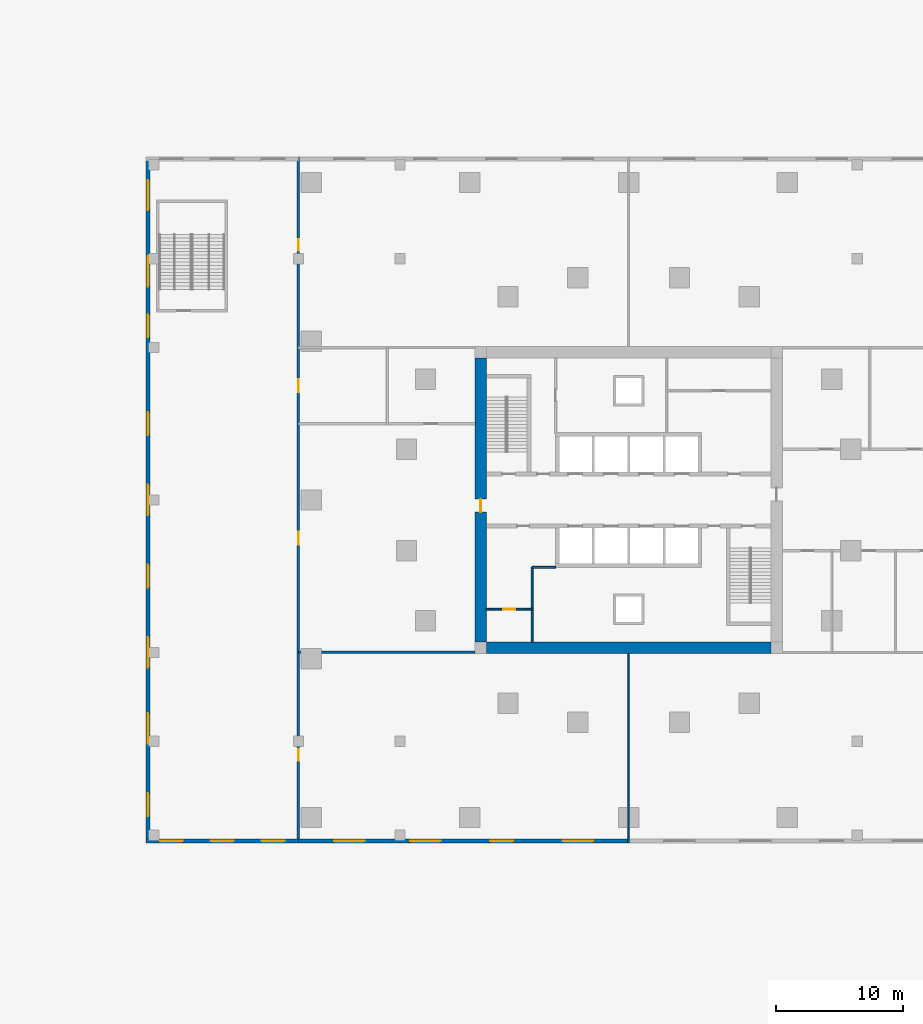
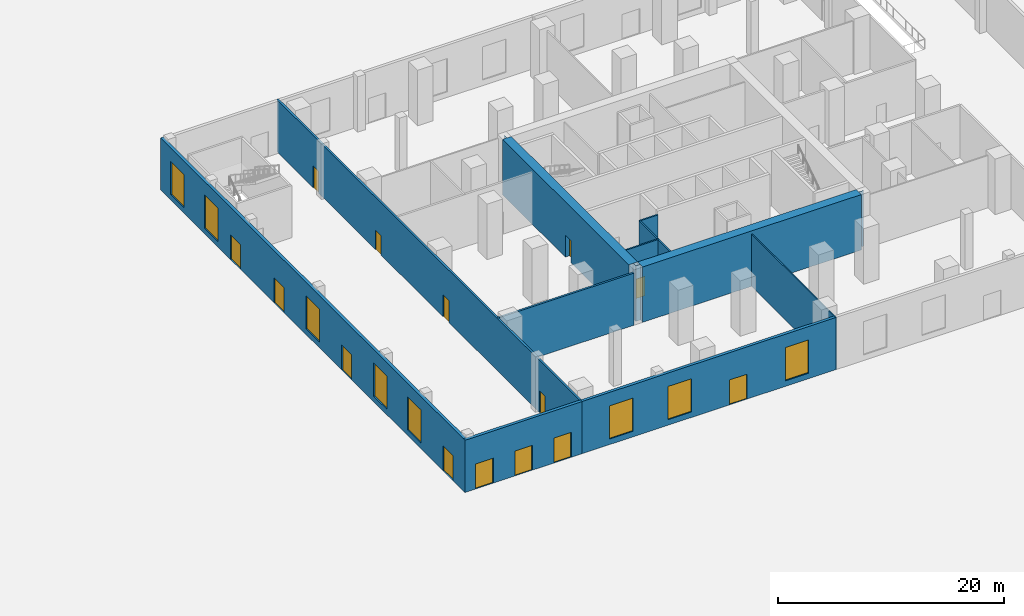
# One storey, part 2 of 8: 14 doors, 11 walls, 8 windows, 22 openings.
"""IFC4 building model written with IfcOpenShell, lengths in metres."""

from ifc_helpers import new_model, si_unit, direction, frame, frame_2d, origin, place, context, subcontext, project, spatial, polyline, rectangle, outline, extrude, material, layer, layer_set, type_object, element, fill, save


model = new_model("IFC4")

# Units and contexts
model_context = context("Model", 3, precision=1e-05, world=origin(), true_north=direction((0.0, 1.0)))
body_context = subcontext(model_context, "Body", "Model", "MODEL_VIEW")
ifc_project = project(units=[si_unit("LENGTHUNIT", "METRE"), si_unit("AREAUNIT", "SQUARE_METRE"), si_unit("VOLUMEUNIT", "CUBIC_METRE"), si_unit("PLANEANGLEUNIT", "RADIAN"), si_unit("MASSUNIT", "GRAM", prefix="KILO")], contexts=[model_context])

# Site, building, storey
site_placement = place(None, origin())
site = spatial("IfcSite", under=ifc_project, at=site_placement, CompositionType="ELEMENT")
building_placement = place(site_placement, origin())
building = spatial("IfcBuilding", under=site, at=building_placement, Name="Torsade Residences", CompositionType="ELEMENT")
storey_placement = place(building_placement, origin())
storey = spatial("IfcBuildingStorey", under=building, at=storey_placement, Name="L00", CompositionType="ELEMENT", Elevation=0.0)

# Wall
ifc_material_1 = material(Name="Concrete 80 MPa", Category="concrete")
ifc_layer_1 = layer(ifc_material_1, 0.89990234375)
ifc_layer_set_1 = layer_set([ifc_layer_1], Name="Concrete 80 MPa")
wall_type_1 = type_object("IfcWallType", Name="CORE WALL 900", PredefinedType="SHEAR", material=ifc_layer_set_1)
wall_1_placement = place(storey_placement, frame((51.199951171875, 18.35009765625, 0.0), z_axis=(0.0, 0.0, 1.0), x_axis=(-1.0, 0.0, 0.0)))
element("IfcWall", 1, at=wall_1_placement, inside=storey, type_object=wall_type_1, Name="Core wall S L00", PredefinedType="SHEAR", context=body_context, shape_type="SweptSolid", body=[
    extrude(outline(polyline([(0.0, -0.449951171875), (22.39990234375, -0.449951171875), (22.39990234375, -0.02490234375), (22.849853515625, -0.02490234375), (22.849853515625, 0.02490234375), (22.39990234375, 0.02490234375), (22.39990234375, 0.449951171875), (0.0, 0.449951171875), (0.0, 0.02490234375), (-0.449951171875, 0.02490234375), (-0.449951171875, -0.02490234375), (0.0, -0.02490234375), (0.0, -0.449951171875)])), origin(), (0.0, 0.0, 1.0), 6.0),
])

# Wall, opening, door
wall_2_placement = place(storey_placement, frame((28.35009765625, 41.199951171875, 0.0), z_axis=(0.0, 0.0, 1.0), x_axis=(0.0, -1.0, 0.0)))
wall_2 = element("IfcWall", 2, at=wall_2_placement, inside=storey, type_object=wall_type_1, Name="Core wall W L00", PredefinedType="SHEAR", context=body_context, shape_type="SweptSolid", body=[
    extrude(outline(polyline([(0.0, -0.449951171875), (22.39990234375, -0.449951171875), (22.39990234375, -0.02490234375), (22.849853515625, -0.02490234375), (22.849853515625, 0.02490234375), (22.39990234375, 0.02490234375), (22.39990234375, 0.449951171875), (0.0, 0.449951171875), (0.0, 0.02490234375), (-0.449951171875, 0.02490234375), (-0.449951171875, -0.02490234375), (0.0, -0.02490234375), (0.0, -0.449951171875)])), origin(), (0.0, 0.0, 1.0), 6.0),
])
opening_1_placement = place(wall_2_placement, frame((11.139892578125, 0.0, 0.0)))
opening_1 = element("IfcOpeningElement", 3, at=opening_1_placement, cuts=wall_2, Name="Opening D04", PredefinedType="OPENING", context=body_context, shape_type="SweptSolid", body=[
    extrude(rectangle(XDim=1.02001953125, YDim=2.39990234375, at=frame_2d((0.510009765625, 1.199951171875))), frame((0.0, 0.4599609375, 0.0), z_axis=(0.0, -1.0, 0.0), x_axis=(1.0, 0.0, 0.0)), (0.0, 0.0, 1.0), 0.919921875),
])
ifc_material_2 = material(Name="Steel-framed fire door", Category="steel")
door_type_1 = type_object("IfcDoorType", Name="LOBBY SMOKE DOOR 1020x2400", OperationType="NOTDEFINED", PredefinedType="DOOR", material=ifc_material_2)
door_1_placement = place(opening_1_placement, origin())
door_1 = element("IfcDoor", 4, at=door_1_placement, inside=storey, type_object=door_type_1, Name="Lift lobby door W L00", OperationType="SINGLE_SWING_RIGHT", OverallHeight=2.39990234375, OverallWidth=1.02001953125, PredefinedType="DOOR", context=body_context, shape_type="SweptSolid", body=[
    extrude(rectangle(XDim=1.02001953125, YDim=2.39990234375, at=frame_2d((0.510009765625, 1.199951171875))), frame((0.0, 0.02490234375, 0.0), z_axis=(0.0, -1.0, 0.0), x_axis=(1.0, 0.0, 0.0)), (0.0, 0.0, 1.0), 0.050048828125),
])
fill(opening_1, door_1)

# Wall, openings, doors
ifc_material_3 = material(Name="Plasterboard on steel stud", Category="steel")
ifc_layer_2 = layer(ifc_material_3, 0.199951171875)
ifc_layer_set_2 = layer_set([ifc_layer_2], Name="Plasterboard on steel stud")
wall_type_2 = type_object("IfcWallType", Name="CORRIDOR WALL 200", PredefinedType="PARTITIONING", material=ifc_layer_set_2)
wall_3_placement = place(storey_placement, frame((14.0, 57.0, 0.0), z_axis=(0.0, 0.0, 1.0), x_axis=(0.0, -1.0, 0.0)))
wall_3 = element("IfcWall", 5, at=wall_3_placement, inside=storey, type_object=wall_type_2, Name="Corridor wall L00", PredefinedType="PARTITIONING", context=body_context, shape_type="SweptSolid", body=[
    extrude(rectangle(XDim=54.0, YDim=0.199951171875, at=frame_2d((27.0, 0.0))), origin(), (0.0, 0.0, 1.0), 5.64990234375),
])
opening_2_placement = place(wall_3_placement, frame((29.489990234375, 0.0, 0.0)))
opening_2 = element("IfcOpeningElement", 6, at=opening_2_placement, cuts=wall_3, Name="Opening D04", PredefinedType="OPENING", context=body_context, shape_type="SweptSolid", body=[
    extrude(rectangle(XDim=1.02001953125, YDim=2.39990234375, at=frame_2d((0.510009765625, 1.199951171875))), frame((0.0, 0.10986328125, 0.0), z_axis=(0.0, -1.0, 0.0), x_axis=(1.0, 0.0, 0.0)), (0.0, 0.0, 1.0), 0.219970703125),
])
opening_3_placement = place(wall_3_placement, frame((46.614990234375, 0.0, 0.0)))
opening_3 = element("IfcOpeningElement", 7, at=opening_3_placement, cuts=wall_3, Name="Opening D02", PredefinedType="OPENING", context=body_context, shape_type="SweptSolid", body=[
    extrude(rectangle(XDim=0.919921875, YDim=2.340087890625, at=frame_2d((0.4599609375, 1.169921875))), frame((0.0, 0.10986328125, 0.0), z_axis=(0.0, -1.0, 0.0), x_axis=(1.0, 0.0, 0.0)), (0.0, 0.0, 1.0), 0.219970703125),
])
opening_4_placement = place(wall_3_placement, frame((6.465087890625, 0.0, 0.0)))
opening_4 = element("IfcOpeningElement", 8, at=opening_4_placement, cuts=wall_3, Name="Opening D02", PredefinedType="OPENING", context=body_context, shape_type="SweptSolid", body=[
    extrude(rectangle(XDim=0.919921875, YDim=2.340087890625, at=frame_2d((0.4599609375, 1.169921875))), frame((0.0, 0.10986328125, 0.0), z_axis=(0.0, -1.0, 0.0), x_axis=(1.0, 0.0, 0.0)), (0.0, 0.0, 1.0), 0.219970703125),
])
opening_5_placement = place(wall_3_placement, frame((17.489990234375, 0.0, 0.0)))
opening_5 = element("IfcOpeningElement", 9, at=opening_5_placement, cuts=wall_3, Name="Opening D03", PredefinedType="OPENING", context=body_context, shape_type="SweptSolid", body=[
    extrude(rectangle(XDim=1.02001953125, YDim=2.10009765625, at=frame_2d((0.510009765625, 1.050048828125))), frame((0.0, 0.10986328125, 0.0), z_axis=(0.0, -1.0, 0.0), x_axis=(1.0, 0.0, 0.0)), (0.0, 0.0, 1.0), 0.219970703125),
])
ifc_material_4 = material(Name="Steel-framed fire door", Category="steel")
door_type_2 = type_object("IfcDoorType", Name="FIRE DOOR 1020", OperationType="NOTDEFINED", PredefinedType="DOOR", material=ifc_material_4)
door_2_placement = place(opening_5_placement, origin())
door_2 = element("IfcDoor", 10, at=door_2_placement, inside=storey, type_object=door_type_2, Name="Door Concourse to Fire control centre", OperationType="SINGLE_SWING_LEFT", OverallHeight=2.10009765625, OverallWidth=1.02001953125, PredefinedType="DOOR", context=body_context, shape_type="SweptSolid", body=[
    extrude(rectangle(XDim=1.02001953125, YDim=2.10009765625, at=frame_2d((0.510009765625, 1.050048828125))), frame((0.0, 0.02490234375, 0.0), z_axis=(0.0, -1.0, 0.0), x_axis=(1.0, 0.0, 0.0)), (0.0, 0.0, 1.0), 0.050048828125),
])
fill(opening_5, door_2)
ifc_material_5 = material(Name="Hollow-core timber door", Category="wood")
door_type_3 = type_object("IfcDoorType", Name="INTERNAL DOOR 920x2340", OperationType="NOTDEFINED", PredefinedType="DOOR", material=ifc_material_5)
door_3_placement = place(opening_3_placement, origin())
door_3 = element("IfcDoor", 11, at=door_3_placement, inside=storey, type_object=door_type_3, Name="Door Concourse to Shop 1", OperationType="SINGLE_SWING_LEFT", OverallHeight=2.340087890625, OverallWidth=0.919921875, PredefinedType="DOOR", context=body_context, shape_type="SweptSolid", body=[
    extrude(rectangle(XDim=0.919921875, YDim=2.340087890625, at=frame_2d((0.4599609375, 1.169921875))), frame((0.0, 0.02490234375, 0.0), z_axis=(0.0, -1.0, 0.0), x_axis=(1.0, 0.0, 0.0)), (0.0, 0.0, 1.0), 0.050048828125),
])
fill(opening_3, door_3)
door_4_placement = place(opening_4_placement, origin())
door_4 = element("IfcDoor", 12, at=door_4_placement, inside=storey, type_object=door_type_3, Name="Door Concourse to Cafe", OperationType="SINGLE_SWING_RIGHT", OverallHeight=2.340087890625, OverallWidth=0.919921875, PredefinedType="DOOR", context=body_context, shape_type="SweptSolid", body=[
    extrude(rectangle(XDim=0.919921875, YDim=2.340087890625, at=frame_2d((0.4599609375, 1.169921875))), frame((0.0, 0.02490234375, 0.0), z_axis=(0.0, -1.0, 0.0), x_axis=(1.0, 0.0, 0.0)), (0.0, 0.0, 1.0), 0.050048828125),
])
fill(opening_4, door_4)
door_5_placement = place(opening_2_placement, origin())
door_5 = element("IfcDoor", 13, at=door_5_placement, inside=storey, type_object=door_type_1, Name="Door Concourse to Residential lobby", OperationType="SINGLE_SWING_LEFT", OverallHeight=2.39990234375, OverallWidth=1.02001953125, PredefinedType="DOOR", context=body_context, shape_type="SweptSolid", body=[
    extrude(rectangle(XDim=1.02001953125, YDim=2.39990234375, at=frame_2d((0.510009765625, 1.199951171875))), frame((0.0, 0.02490234375, 0.0), z_axis=(0.0, -1.0, 0.0), x_axis=(1.0, 0.0, 0.0)), (0.0, 0.0, 1.0), 0.050048828125),
])
fill(opening_2, door_5)

# Walls
wall_4_placement = place(storey_placement, frame((27.89990234375, 18.0, 0.0), z_axis=(0.0, 0.0, 1.0), x_axis=(-1.0, 0.0, 0.0)))
element("IfcWall", 14, at=wall_4_placement, inside=storey, type_object=wall_type_2, Name="Corridor wall L00", PredefinedType="PARTITIONING", context=body_context, shape_type="SweptSolid", body=[
    extrude(rectangle(XDim=13.89990234375, YDim=0.199951171875, at=frame_2d((6.949951171875, 0.0))), origin(), (0.0, 0.0, 1.0), 5.64990234375),
])
ifc_material_6 = material(Name="Plasterboard on steel stud", Category="steel")
ifc_layer_3 = layer(ifc_material_6, 0.1201171875)
ifc_layer_set_3 = layer_set([ifc_layer_3], Name="Plasterboard on steel stud")
wall_type_3 = type_object("IfcWallType", Name="PARTITION 120", PredefinedType="PARTITIONING", material=ifc_layer_set_3)
wall_5_placement = place(storey_placement, frame((40.0, 17.89990234375, 0.0), z_axis=(0.0, 0.0, 1.0), x_axis=(0.0, -1.0, 0.0)))
element("IfcWall", 15, at=wall_5_placement, inside=storey, type_object=wall_type_3, Name="Partition L00", PredefinedType="PARTITIONING", context=body_context, shape_type="SweptSolid", body=[
    extrude(rectangle(XDim=14.89990234375, YDim=0.1201171875, at=frame_2d((7.449951171875, 0.0))), origin(), (0.0, 0.0, 1.0), 5.64990234375),
])
ifc_material_7 = material(Name="Reinforced blockwork", Category="masonry")
ifc_layer_4 = layer(ifc_material_7, 0.14990234375)
ifc_layer_set_4 = layer_set([ifc_layer_4], Name="Reinforced blockwork")
wall_type_4 = type_object("IfcWallType", Name="SERVICE ROOM WALL 150", PredefinedType="SOLIDWALL", material=ifc_layer_set_4)
wall_6_placement = place(storey_placement, frame((32.39990234375, 18.800048828125, 0.0), z_axis=(0.0, 0.0, 1.0), x_axis=(0.0, 1.0, 0.0)))
element("IfcWall", 16, at=wall_6_placement, inside=storey, type_object=wall_type_4, Name="Service room wall L00", PredefinedType="SOLIDWALL", context=body_context, shape_type="SweptSolid", body=[
    extrude(rectangle(XDim=5.89990234375, YDim=0.14990234375, at=frame_2d((2.949951171875, 0.0))), origin(), (0.0, 0.0, 1.0), 5.64990234375),
])
wall_7_placement = place(storey_placement, frame((32.39990234375, 24.699951171875, 0.0), z_axis=(0.0, 0.0, 1.0), x_axis=(1.0, 0.0, 0.0)))
element("IfcWall", 17, at=wall_7_placement, inside=storey, type_object=wall_type_4, Name="Service room wall L00", PredefinedType="SOLIDWALL", context=body_context, shape_type="SweptSolid", body=[
    extrude(rectangle(XDim=1.85009765625, YDim=0.14990234375, at=frame_2d((0.925048828125, 0.0))), origin(), (0.0, 0.0, 1.0), 5.64990234375),
])

# Wall, opening, door
wall_8_placement = place(storey_placement, frame((32.39990234375, 21.39990234375, 0.0), z_axis=(0.0, 0.0, 1.0), x_axis=(-1.0, 0.0, 0.0)))
wall_8 = element("IfcWall", 18, at=wall_8_placement, inside=storey, type_object=wall_type_4, Name="Service room wall L00", PredefinedType="SOLIDWALL", context=body_context, shape_type="SweptSolid", body=[
    extrude(rectangle(XDim=3.599853515625, YDim=0.14990234375, at=frame_2d((1.7998046875, 0.0))), origin(), (0.0, 0.0, 1.0), 5.64990234375),
])
opening_6_placement = place(wall_8_placement, frame((1.340087890625, 0.0, 0.0)))
opening_6 = element("IfcOpeningElement", 19, at=opening_6_placement, cuts=wall_8, Name="Opening D06", PredefinedType="OPENING", context=body_context, shape_type="SweptSolid", body=[
    extrude(rectangle(XDim=0.919921875, YDim=2.10009765625, at=frame_2d((0.4599609375, 1.050048828125))), frame((0.0, 0.0849609375, 0.0), z_axis=(0.0, -1.0, 0.0), x_axis=(1.0, 0.0, 0.0)), (0.0, 0.0, 1.0), 0.169921875),
])
ifc_material_8 = material(Name="Steel-framed fire door", Category="steel")
door_type_4 = type_object("IfcDoorType", Name="FIRE DOOR 920", OperationType="NOTDEFINED", PredefinedType="DOOR", material=ifc_material_8)
door_6_placement = place(opening_6_placement, origin())
door_6 = element("IfcDoor", 20, at=door_6_placement, inside=storey, type_object=door_type_4, Name="Door Cleaner store to Hose reel and hydrant store", OperationType="SINGLE_SWING_LEFT", OverallHeight=2.10009765625, OverallWidth=0.919921875, PredefinedType="DOOR", context=body_context, shape_type="SweptSolid", body=[
    extrude(rectangle(XDim=0.919921875, YDim=2.10009765625, at=frame_2d((0.4599609375, 1.050048828125))), frame((0.0, 0.02490234375, 0.0), z_axis=(0.0, -1.0, 0.0), x_axis=(1.0, 0.0, 0.0)), (0.0, 0.0, 1.0), 0.050048828125),
])
fill(opening_6, door_6)

# Wall, openings, doors
ifc_material_9 = material(Name="Sandstone on concrete 40 MPa", Category="masonry")
ifc_layer_5 = layer(ifc_material_9, 0.300048828125)
ifc_layer_set_5 = layer_set([ifc_layer_5], Name="Sandstone on concrete 40 MPa")
wall_type_5 = type_object("IfcWallType", Name="STONE-FACED SHOPFRONT WALL 300", PredefinedType="SOLIDWALL", material=ifc_layer_set_5)
wall_9_placement = place(storey_placement, frame((2.0, 3.14990234375, 0.0), z_axis=(0.0, 0.0, 1.0), x_axis=(1.0, 0.0, 0.0)))
wall_9 = element("IfcWall", 21, at=wall_9_placement, inside=storey, type_object=wall_type_5, Name="Shopfront wall S1", PredefinedType="SOLIDWALL", context=body_context, shape_type="SweptSolid", body=[
    extrude(rectangle(XDim=12.0, YDim=0.300048828125, at=frame_2d((6.0, 0.0))), origin(), (0.0, 0.0, 1.0), 5.64990234375),
])
opening_7_placement = place(wall_9_placement, frame((1.10009765625, 0.0, 0.0)))
opening_7 = element("IfcOpeningElement", 22, at=opening_7_placement, cuts=wall_9, Name="Opening D20", PredefinedType="OPENING", context=body_context, shape_type="SweptSolid", body=[
    extrude(rectangle(XDim=1.800048828125, YDim=2.699951171875, at=frame_2d((0.89990234375, 1.35009765625))), frame((0.0, 0.159912109375, 0.0), z_axis=(0.0, -1.0, 0.0), x_axis=(1.0, 0.0, 0.0)), (0.0, 0.0, 1.0), 0.320068359375),
])
opening_8_placement = place(wall_9_placement, frame((5.10009765625, 0.0, 0.0)))
opening_8 = element("IfcOpeningElement", 23, at=opening_8_placement, cuts=wall_9, Name="Opening D20", PredefinedType="OPENING", context=body_context, shape_type="SweptSolid", body=[
    extrude(rectangle(XDim=1.800048828125, YDim=2.699951171875, at=frame_2d((0.89990234375, 1.35009765625))), frame((0.0, 0.159912109375, 0.0), z_axis=(0.0, -1.0, 0.0), x_axis=(1.0, 0.0, 0.0)), (0.0, 0.0, 1.0), 0.320068359375),
])
opening_9_placement = place(wall_9_placement, frame((9.10009765625, 0.0, 0.0)))
opening_9 = element("IfcOpeningElement", 24, at=opening_9_placement, cuts=wall_9, Name="Opening D20", PredefinedType="OPENING", context=body_context, shape_type="SweptSolid", body=[
    extrude(rectangle(XDim=1.800048828125, YDim=2.699951171875, at=frame_2d((0.89990234375, 1.35009765625))), frame((0.0, 0.159912109375, 0.0), z_axis=(0.0, -1.0, 0.0), x_axis=(1.0, 0.0, 0.0)), (0.0, 0.0, 1.0), 0.320068359375),
])
ifc_material_10 = material(Name="Aluminium-framed glass door", Category="aluminium")
door_type_5 = type_object("IfcDoorType", Name="ENTRANCE DOOR PAIR 1800", OperationType="DOUBLE_DOOR_DOUBLE_SWING", PredefinedType="DOOR", material=ifc_material_10)
door_7_placement = place(opening_7_placement, origin())
door_7 = element("IfcDoor", 25, at=door_7_placement, inside=storey, type_object=door_type_5, Name="Concourse entrance S 1", OperationType="DOUBLE_DOOR_DOUBLE_SWING", OverallHeight=2.699951171875, OverallWidth=1.800048828125, PredefinedType="DOOR", context=body_context, shape_type="SweptSolid", body=[
    extrude(rectangle(XDim=1.800048828125, YDim=2.699951171875, at=frame_2d((0.89990234375, 1.35009765625))), frame((0.0, 0.02490234375, 0.0), z_axis=(0.0, -1.0, 0.0), x_axis=(1.0, 0.0, 0.0)), (0.0, 0.0, 1.0), 0.050048828125),
])
fill(opening_7, door_7)
door_8_placement = place(opening_8_placement, origin())
door_8 = element("IfcDoor", 26, at=door_8_placement, inside=storey, type_object=door_type_5, Name="Concourse entrance S 2", OperationType="DOUBLE_DOOR_DOUBLE_SWING", OverallHeight=2.699951171875, OverallWidth=1.800048828125, PredefinedType="DOOR", context=body_context, shape_type="SweptSolid", body=[
    extrude(rectangle(XDim=1.800048828125, YDim=2.699951171875, at=frame_2d((0.89990234375, 1.35009765625))), frame((0.0, 0.02490234375, 0.0), z_axis=(0.0, -1.0, 0.0), x_axis=(1.0, 0.0, 0.0)), (0.0, 0.0, 1.0), 0.050048828125),
])
fill(opening_8, door_8)
door_9_placement = place(opening_9_placement, origin())
door_9 = element("IfcDoor", 27, at=door_9_placement, inside=storey, type_object=door_type_5, Name="Concourse entrance S 3", OperationType="DOUBLE_DOOR_DOUBLE_SWING", OverallHeight=2.699951171875, OverallWidth=1.800048828125, PredefinedType="DOOR", context=body_context, shape_type="SweptSolid", body=[
    extrude(rectangle(XDim=1.800048828125, YDim=2.699951171875, at=frame_2d((0.89990234375, 1.35009765625))), frame((0.0, 0.02490234375, 0.0), z_axis=(0.0, -1.0, 0.0), x_axis=(1.0, 0.0, 0.0)), (0.0, 0.0, 1.0), 0.050048828125),
])
fill(opening_9, door_9)

# Wall, openings, door, windows
wall_10_placement = place(storey_placement, frame((14.0, 3.14990234375, 0.0), z_axis=(0.0, 0.0, 1.0), x_axis=(1.0, 0.0, 0.0)))
wall_10 = element("IfcWall", 28, at=wall_10_placement, inside=storey, type_object=wall_type_5, Name="Shopfront wall S2", PredefinedType="SOLIDWALL", context=body_context, shape_type="SweptSolid", body=[
    extrude(rectangle(XDim=26.0, YDim=0.300048828125, at=frame_2d((13.0, 0.0))), origin(), (0.0, 0.0, 1.0), 5.64990234375),
])
opening_10_placement = place(wall_10_placement, frame((2.800048828125, 0.0, 0.60009765625)))
opening_10 = element("IfcOpeningElement", 29, at=opening_10_placement, cuts=wall_10, Name="Opening W2", PredefinedType="OPENING", context=body_context, shape_type="SweptSolid", body=[
    extrude(rectangle(XDim=2.39990234375, YDim=3.60009765625, at=frame_2d((1.199951171875, 1.800048828125))), frame((0.0, 0.159912109375, 0.0), z_axis=(0.0, -1.0, 0.0), x_axis=(1.0, 0.0, 0.0)), (0.0, 0.0, 1.0), 0.320068359375),
])
opening_11_placement = place(wall_10_placement, frame((8.800048828125, 0.0, 0.60009765625)))
opening_11 = element("IfcOpeningElement", 30, at=opening_11_placement, cuts=wall_10, Name="Opening W2", PredefinedType="OPENING", context=body_context, shape_type="SweptSolid", body=[
    extrude(rectangle(XDim=2.39990234375, YDim=3.60009765625, at=frame_2d((1.199951171875, 1.800048828125))), frame((0.0, 0.159912109375, 0.0), z_axis=(0.0, -1.0, 0.0), x_axis=(1.0, 0.0, 0.0)), (0.0, 0.0, 1.0), 0.320068359375),
])
opening_12_placement = place(wall_10_placement, frame((15.10009765625, 0.0, 0.0)))
opening_12 = element("IfcOpeningElement", 31, at=opening_12_placement, cuts=wall_10, Name="Opening D20", PredefinedType="OPENING", context=body_context, shape_type="SweptSolid", body=[
    extrude(rectangle(XDim=1.800048828125, YDim=2.699951171875, at=frame_2d((0.89990234375, 1.35009765625))), frame((0.0, 0.159912109375, 0.0), z_axis=(0.0, -1.0, 0.0), x_axis=(1.0, 0.0, 0.0)), (0.0, 0.0, 1.0), 0.320068359375),
])
opening_13_placement = place(wall_10_placement, frame((20.800048828125, 0.0, 0.60009765625)))
opening_13 = element("IfcOpeningElement", 32, at=opening_13_placement, cuts=wall_10, Name="Opening W2", PredefinedType="OPENING", context=body_context, shape_type="SweptSolid", body=[
    extrude(rectangle(XDim=2.39990234375, YDim=3.60009765625, at=frame_2d((1.199951171875, 1.800048828125))), frame((0.0, 0.159912109375, 0.0), z_axis=(0.0, -1.0, 0.0), x_axis=(1.0, 0.0, 0.0)), (0.0, 0.0, 1.0), 0.320068359375),
])
door_10_placement = place(opening_12_placement, origin())
door_10 = element("IfcDoor", 33, at=door_10_placement, inside=storey, type_object=door_type_5, Name="Shop entrance S2", OperationType="DOUBLE_DOOR_DOUBLE_SWING", OverallHeight=2.699951171875, OverallWidth=1.800048828125, PredefinedType="DOOR", context=body_context, shape_type="SweptSolid", body=[
    extrude(rectangle(XDim=1.800048828125, YDim=2.699951171875, at=frame_2d((0.89990234375, 1.35009765625))), frame((0.0, 0.02490234375, 0.0), z_axis=(0.0, -1.0, 0.0), x_axis=(1.0, 0.0, 0.0)), (0.0, 0.0, 1.0), 0.050048828125),
])
fill(opening_12, door_10)
ifc_material_11 = material(Name="Aluminium-framed glass window", Category="aluminium")
window_type = type_object("IfcWindowType", Name="SHOPFRONT WINDOW 2400", PartitioningType="SINGLE_PANEL", PredefinedType="WINDOW", material=ifc_material_11)
window_1_placement = place(opening_10_placement, origin())
window_1 = element("IfcWindow", 34, at=window_1_placement, inside=storey, type_object=window_type, Name="Shopfront window S2.1", OverallHeight=3.60009765625, OverallWidth=2.39990234375, PartitioningType="SINGLE_PANEL", PredefinedType="WINDOW", context=body_context, shape_type="SweptSolid", body=[
    extrude(rectangle(XDim=2.39990234375, YDim=3.60009765625, at=frame_2d((1.199951171875, 1.800048828125))), frame((0.0, 0.030029296875, 0.0), z_axis=(0.0, -1.0, 0.0), x_axis=(1.0, 0.0, 0.0)), (0.0, 0.0, 1.0), 0.06005859375),
])
fill(opening_10, window_1)
window_2_placement = place(opening_11_placement, origin())
window_2 = element("IfcWindow", 35, at=window_2_placement, inside=storey, type_object=window_type, Name="Shopfront window S2.2", OverallHeight=3.60009765625, OverallWidth=2.39990234375, PartitioningType="SINGLE_PANEL", PredefinedType="WINDOW", context=body_context, shape_type="SweptSolid", body=[
    extrude(rectangle(XDim=2.39990234375, YDim=3.60009765625, at=frame_2d((1.199951171875, 1.800048828125))), frame((0.0, 0.030029296875, 0.0), z_axis=(0.0, -1.0, 0.0), x_axis=(1.0, 0.0, 0.0)), (0.0, 0.0, 1.0), 0.06005859375),
])
fill(opening_11, window_2)
window_3_placement = place(opening_13_placement, origin())
window_3 = element("IfcWindow", 36, at=window_3_placement, inside=storey, type_object=window_type, Name="Shopfront window S2.4", OverallHeight=3.60009765625, OverallWidth=2.39990234375, PartitioningType="SINGLE_PANEL", PredefinedType="WINDOW", context=body_context, shape_type="SweptSolid", body=[
    extrude(rectangle(XDim=2.39990234375, YDim=3.60009765625, at=frame_2d((1.199951171875, 1.800048828125))), frame((0.0, 0.030029296875, 0.0), z_axis=(0.0, -1.0, 0.0), x_axis=(1.0, 0.0, 0.0)), (0.0, 0.0, 1.0), 0.06005859375),
])
fill(opening_13, window_3)

# Wall, openings, doors, windows
wall_11_placement = place(storey_placement, frame((2.14990234375, 57.0, 0.0), z_axis=(0.0, 0.0, 1.0), x_axis=(0.0, -1.0, 0.0)))
wall_11 = element("IfcWall", 37, at=wall_11_placement, inside=storey, type_object=wall_type_5, Name="Shopfront wall W1", PredefinedType="SOLIDWALL", context=body_context, shape_type="SweptSolid", body=[
    extrude(rectangle(XDim=54.0, YDim=0.300048828125, at=frame_2d((27.0, 0.0))), origin(), (0.0, 0.0, 1.0), 5.64990234375),
])
opening_14_placement = place(wall_11_placement, frame((12.39990234375, 0.0, 0.0)))
opening_14 = element("IfcOpeningElement", 38, at=opening_14_placement, cuts=wall_11, Name="Opening D20", PredefinedType="OPENING", context=body_context, shape_type="SweptSolid", body=[
    extrude(rectangle(XDim=1.800048828125, YDim=2.699951171875, at=frame_2d((0.89990234375, 1.35009765625))), frame((0.0, 0.159912109375, 0.0), z_axis=(0.0, -1.0, 0.0), x_axis=(1.0, 0.0, 0.0)), (0.0, 0.0, 1.0), 0.320068359375),
])
opening_15_placement = place(wall_11_placement, frame((1.800048828125, 0.0, 0.60009765625)))
opening_15 = element("IfcOpeningElement", 39, at=opening_15_placement, cuts=wall_11, Name="Opening W2", PredefinedType="OPENING", context=body_context, shape_type="SweptSolid", body=[
    extrude(rectangle(XDim=2.39990234375, YDim=3.60009765625, at=frame_2d((1.199951171875, 1.800048828125))), frame((0.0, 0.159912109375, 0.0), z_axis=(0.0, -1.0, 0.0), x_axis=(1.0, 0.0, 0.0)), (0.0, 0.0, 1.0), 0.320068359375),
])
opening_16_placement = place(wall_11_placement, frame((7.800048828125, 0.0, 0.60009765625)))
opening_16 = element("IfcOpeningElement", 40, at=opening_16_placement, cuts=wall_11, Name="Opening W2", PredefinedType="OPENING", context=body_context, shape_type="SweptSolid", body=[
    extrude(rectangle(XDim=2.39990234375, YDim=3.60009765625, at=frame_2d((1.199951171875, 1.800048828125))), frame((0.0, 0.159912109375, 0.0), z_axis=(0.0, -1.0, 0.0), x_axis=(1.0, 0.0, 0.0)), (0.0, 0.0, 1.0), 0.320068359375),
])
opening_17_placement = place(wall_11_placement, frame((20.10009765625, 0.0, 0.0)))
opening_17 = element("IfcOpeningElement", 41, at=opening_17_placement, cuts=wall_11, Name="Opening D20", PredefinedType="OPENING", context=body_context, shape_type="SweptSolid", body=[
    extrude(rectangle(XDim=1.800048828125, YDim=2.699951171875, at=frame_2d((0.89990234375, 1.35009765625))), frame((0.0, 0.159912109375, 0.0), z_axis=(0.0, -1.0, 0.0), x_axis=(1.0, 0.0, 0.0)), (0.0, 0.0, 1.0), 0.320068359375),
])
opening_18_placement = place(wall_11_placement, frame((25.800048828125, 0.0, 0.60009765625)))
opening_18 = element("IfcOpeningElement", 42, at=opening_18_placement, cuts=wall_11, Name="Opening W2", PredefinedType="OPENING", context=body_context, shape_type="SweptSolid", body=[
    extrude(rectangle(XDim=2.39990234375, YDim=3.60009765625, at=frame_2d((1.199951171875, 1.800048828125))), frame((0.0, 0.159912109375, 0.0), z_axis=(0.0, -1.0, 0.0), x_axis=(1.0, 0.0, 0.0)), (0.0, 0.0, 1.0), 0.320068359375),
])
opening_19_placement = place(wall_11_placement, frame((32.10009765625, 0.0, 0.0)))
opening_19 = element("IfcOpeningElement", 43, at=opening_19_placement, cuts=wall_11, Name="Opening D20", PredefinedType="OPENING", context=body_context, shape_type="SweptSolid", body=[
    extrude(rectangle(XDim=1.800048828125, YDim=2.699951171875, at=frame_2d((0.89990234375, 1.35009765625))), frame((0.0, 0.159912109375, 0.0), z_axis=(0.0, -1.0, 0.0), x_axis=(1.0, 0.0, 0.0)), (0.0, 0.0, 1.0), 0.320068359375),
])
opening_20_placement = place(wall_11_placement, frame((37.800048828125, 0.0, 0.60009765625)))
opening_20 = element("IfcOpeningElement", 44, at=opening_20_placement, cuts=wall_11, Name="Opening W2", PredefinedType="OPENING", context=body_context, shape_type="SweptSolid", body=[
    extrude(rectangle(XDim=2.39990234375, YDim=3.60009765625, at=frame_2d((1.199951171875, 1.800048828125))), frame((0.0, 0.159912109375, 0.0), z_axis=(0.0, -1.0, 0.0), x_axis=(1.0, 0.0, 0.0)), (0.0, 0.0, 1.0), 0.320068359375),
])
opening_21_placement = place(wall_11_placement, frame((43.800048828125, 0.0, 0.60009765625)))
opening_21 = element("IfcOpeningElement", 45, at=opening_21_placement, cuts=wall_11, Name="Opening W2", PredefinedType="OPENING", context=body_context, shape_type="SweptSolid", body=[
    extrude(rectangle(XDim=2.39990234375, YDim=3.60009765625, at=frame_2d((1.199951171875, 1.800048828125))), frame((0.0, 0.159912109375, 0.0), z_axis=(0.0, -1.0, 0.0), x_axis=(1.0, 0.0, 0.0)), (0.0, 0.0, 1.0), 0.320068359375),
])
opening_22_placement = place(wall_11_placement, frame((50.10009765625, 0.0, 0.0)))
opening_22 = element("IfcOpeningElement", 46, at=opening_22_placement, cuts=wall_11, Name="Opening D20", PredefinedType="OPENING", context=body_context, shape_type="SweptSolid", body=[
    extrude(rectangle(XDim=1.800048828125, YDim=2.699951171875, at=frame_2d((0.89990234375, 1.35009765625))), frame((0.0, 0.159912109375, 0.0), z_axis=(0.0, -1.0, 0.0), x_axis=(1.0, 0.0, 0.0)), (0.0, 0.0, 1.0), 0.320068359375),
])
door_11_placement = place(opening_14_placement, frame((1.800048828125, 0.0, 0.0), z_axis=(0.0, 0.0, 1.0), x_axis=(-1.0, 0.0, 0.0)))
door_11 = element("IfcDoor", 47, at=door_11_placement, inside=storey, type_object=door_type_5, Name="Final exit door ST3 to the west plaza", OperationType="DOUBLE_DOOR_DOUBLE_SWING", OverallHeight=2.699951171875, OverallWidth=1.800048828125, PredefinedType="DOOR", context=body_context, shape_type="SweptSolid", body=[
    extrude(rectangle(XDim=1.800048828125, YDim=2.699951171875, at=frame_2d((0.89990234375, 1.35009765625))), frame((0.0, 0.02490234375, 0.0), z_axis=(0.0, -1.0, 0.0), x_axis=(1.0, 0.0, 0.0)), (0.0, 0.0, 1.0), 0.050048828125),
])
fill(opening_14, door_11)
door_12_placement = place(opening_17_placement, origin())
door_12 = element("IfcDoor", 48, at=door_12_placement, inside=storey, type_object=door_type_5, Name="Concourse side entrance W4", OperationType="DOUBLE_DOOR_DOUBLE_SWING", OverallHeight=2.699951171875, OverallWidth=1.800048828125, PredefinedType="DOOR", context=body_context, shape_type="SweptSolid", body=[
    extrude(rectangle(XDim=1.800048828125, YDim=2.699951171875, at=frame_2d((0.89990234375, 1.35009765625))), frame((0.0, 0.02490234375, 0.0), z_axis=(0.0, -1.0, 0.0), x_axis=(1.0, 0.0, 0.0)), (0.0, 0.0, 1.0), 0.050048828125),
])
fill(opening_17, door_12)
door_13_placement = place(opening_19_placement, origin())
door_13 = element("IfcDoor", 49, at=door_13_placement, inside=storey, type_object=door_type_5, Name="Concourse side entrance W6", OperationType="DOUBLE_DOOR_DOUBLE_SWING", OverallHeight=2.699951171875, OverallWidth=1.800048828125, PredefinedType="DOOR", context=body_context, shape_type="SweptSolid", body=[
    extrude(rectangle(XDim=1.800048828125, YDim=2.699951171875, at=frame_2d((0.89990234375, 1.35009765625))), frame((0.0, 0.02490234375, 0.0), z_axis=(0.0, -1.0, 0.0), x_axis=(1.0, 0.0, 0.0)), (0.0, 0.0, 1.0), 0.050048828125),
])
fill(opening_19, door_13)
door_14_placement = place(opening_22_placement, origin())
door_14 = element("IfcDoor", 50, at=door_14_placement, inside=storey, type_object=door_type_5, Name="Concourse side entrance W9", OperationType="DOUBLE_DOOR_DOUBLE_SWING", OverallHeight=2.699951171875, OverallWidth=1.800048828125, PredefinedType="DOOR", context=body_context, shape_type="SweptSolid", body=[
    extrude(rectangle(XDim=1.800048828125, YDim=2.699951171875, at=frame_2d((0.89990234375, 1.35009765625))), frame((0.0, 0.02490234375, 0.0), z_axis=(0.0, -1.0, 0.0), x_axis=(1.0, 0.0, 0.0)), (0.0, 0.0, 1.0), 0.050048828125),
])
fill(opening_22, door_14)
window_4_placement = place(opening_15_placement, origin())
window_4 = element("IfcWindow", 51, at=window_4_placement, inside=storey, type_object=window_type, Name="Shopfront window W1.1", OverallHeight=3.60009765625, OverallWidth=2.39990234375, PartitioningType="SINGLE_PANEL", PredefinedType="WINDOW", context=body_context, shape_type="SweptSolid", body=[
    extrude(rectangle(XDim=2.39990234375, YDim=3.60009765625, at=frame_2d((1.199951171875, 1.800048828125))), frame((0.0, 0.030029296875, 0.0), z_axis=(0.0, -1.0, 0.0), x_axis=(1.0, 0.0, 0.0)), (0.0, 0.0, 1.0), 0.06005859375),
])
fill(opening_15, window_4)
window_5_placement = place(opening_16_placement, origin())
window_5 = element("IfcWindow", 52, at=window_5_placement, inside=storey, type_object=window_type, Name="Shopfront window W1.2", OverallHeight=3.60009765625, OverallWidth=2.39990234375, PartitioningType="SINGLE_PANEL", PredefinedType="WINDOW", context=body_context, shape_type="SweptSolid", body=[
    extrude(rectangle(XDim=2.39990234375, YDim=3.60009765625, at=frame_2d((1.199951171875, 1.800048828125))), frame((0.0, 0.030029296875, 0.0), z_axis=(0.0, -1.0, 0.0), x_axis=(1.0, 0.0, 0.0)), (0.0, 0.0, 1.0), 0.06005859375),
])
fill(opening_16, window_5)
window_6_placement = place(opening_18_placement, origin())
window_6 = element("IfcWindow", 53, at=window_6_placement, inside=storey, type_object=window_type, Name="Shopfront window W1.5", OverallHeight=3.60009765625, OverallWidth=2.39990234375, PartitioningType="SINGLE_PANEL", PredefinedType="WINDOW", context=body_context, shape_type="SweptSolid", body=[
    extrude(rectangle(XDim=2.39990234375, YDim=3.60009765625, at=frame_2d((1.199951171875, 1.800048828125))), frame((0.0, 0.030029296875, 0.0), z_axis=(0.0, -1.0, 0.0), x_axis=(1.0, 0.0, 0.0)), (0.0, 0.0, 1.0), 0.06005859375),
])
fill(opening_18, window_6)
window_7_placement = place(opening_20_placement, origin())
window_7 = element("IfcWindow", 54, at=window_7_placement, inside=storey, type_object=window_type, Name="Shopfront window W1.7", OverallHeight=3.60009765625, OverallWidth=2.39990234375, PartitioningType="SINGLE_PANEL", PredefinedType="WINDOW", context=body_context, shape_type="SweptSolid", body=[
    extrude(rectangle(XDim=2.39990234375, YDim=3.60009765625, at=frame_2d((1.199951171875, 1.800048828125))), frame((0.0, 0.030029296875, 0.0), z_axis=(0.0, -1.0, 0.0), x_axis=(1.0, 0.0, 0.0)), (0.0, 0.0, 1.0), 0.06005859375),
])
fill(opening_20, window_7)
window_8_placement = place(opening_21_placement, origin())
window_8 = element("IfcWindow", 55, at=window_8_placement, inside=storey, type_object=window_type, Name="Shopfront window W1.8", OverallHeight=3.60009765625, OverallWidth=2.39990234375, PartitioningType="SINGLE_PANEL", PredefinedType="WINDOW", context=body_context, shape_type="SweptSolid", body=[
    extrude(rectangle(XDim=2.39990234375, YDim=3.60009765625, at=frame_2d((1.199951171875, 1.800048828125))), frame((0.0, 0.030029296875, 0.0), z_axis=(0.0, -1.0, 0.0), x_axis=(1.0, 0.0, 0.0)), (0.0, 0.0, 1.0), 0.06005859375),
])
fill(opening_21, window_8)

save(model, "model.ifc")
